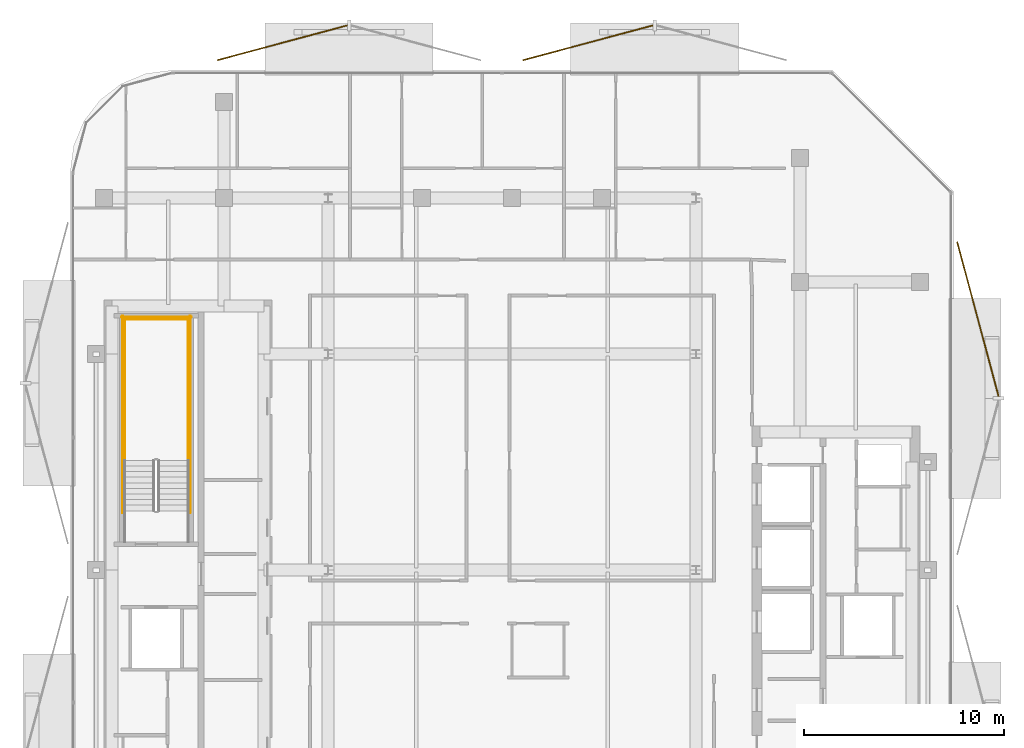
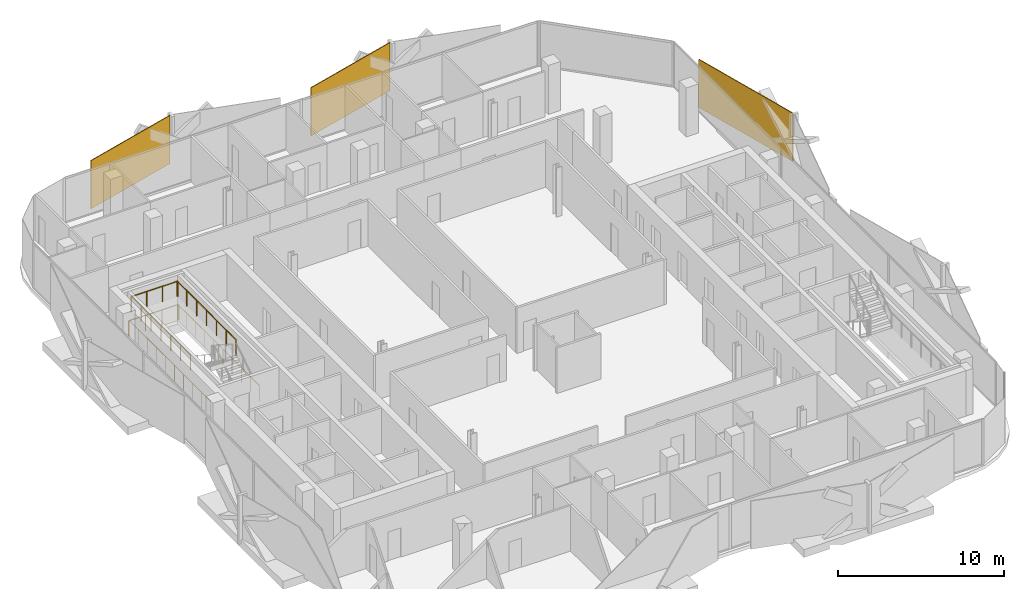
# One storey, part 16 of 16: 6 railings, 3 coverings.
"""IFC4 building model written with IfcOpenShell, lengths in metres."""

from ifc_helpers import new_model, si_unit, direction, frame, origin, origin_2d, place, context, subcontext, project, spatial, rectangle, circle, extrude, material, layer, layer_set, type_object, element, save


model = new_model("IFC4")

# Units and contexts
model_context = context("Model", 3, precision=1e-05, world=origin(), true_north=direction((0.0, 1.0)))
body_context = subcontext(model_context, "Body", "Model", "MODEL_VIEW")
ifc_project = project(units=[si_unit("LENGTHUNIT", "METRE"), si_unit("AREAUNIT", "SQUARE_METRE"), si_unit("VOLUMEUNIT", "CUBIC_METRE"), si_unit("PLANEANGLEUNIT", "RADIAN"), si_unit("MASSUNIT", "GRAM", prefix="KILO")], contexts=[model_context])

# Site, building, storey
site_placement = place(None, origin())
site = spatial("IfcSite", under=ifc_project, at=site_placement, CompositionType="ELEMENT")
building_placement = place(site_placement, origin())
building = spatial("IfcBuilding", under=site, at=building_placement, Name="Khairoan Windgate Tower", CompositionType="ELEMENT")
storey_placement = place(building_placement, frame((0.0, 0.0, 247.60009765625)))
storey = spatial("IfcBuildingStorey", under=building, at=storey_placement, Name="L58", CompositionType="ELEMENT", Elevation=247.60009765625)

# Coverings
ifc_material_1 = material(Name="Anodised Bronze Aluminium 6063-T6", Category="aluminium")
ifc_layer = layer(ifc_material_1, 0.054931640625, Name="Anodised Bronze Aluminium 6063-T6")
ifc_layer_set = layer_set([ifc_layer], Name="Anodised Bronze Aluminium 6063-T6")
covering_type = type_object("IfcCoveringType", Name="Perforated Bronze-Ceramic Folded Solar Screen Cladding BSC-1", PredefinedType="CLADDING", material=ifc_layer_set)
for number, where, z_axis, x_axis, name in (
    (1, (-11.486083984375, 26.36962890625, -0.10009765625), (0.0, 0.0, 1.0), (0.965925826289, 0.258819045103, 0.0), "L58 Folded Bronze Solar Screen Facet 397L"),
    (2, (3.80029296875, 26.36962890625, -0.10009765625), (0.0, 0.0, 1.0), (0.965925826289, 0.258819045103, 0.0), "L58 Folded Bronze Solar Screen Facet 398L"),
):
    element("IfcCovering", number, at=place(storey_placement, frame(where, z_axis=z_axis, x_axis=x_axis)), inside=storey, type_object=covering_type, Name=name, PredefinedType="CLADDING", context=body_context, shape_type="SweptSolid", body=[
        extrude(rectangle(XDim=6.72607421875, YDim=0.054931640625, at=origin_2d()), origin(), (0.0, 0.0, 1.0), 3.5400390625),
    ])
covering_placement = place(storey_placement, frame((23.304443359375, 12.54345703125, -0.10009765625), z_axis=(0.0, 0.0, 1.0), x_axis=(0.258819045103, -0.965925826289, 0.0)))
element("IfcCovering", 3, at=covering_placement, inside=storey, type_object=covering_type, Name="L58 Folded Bronze Solar Screen Facet 399L", PredefinedType="CLADDING", context=body_context, shape_type="SweptSolid", body=[
    extrude(rectangle(XDim=8.001953125, YDim=0.054931640625, at=origin_2d()), origin(), (0.0, 0.0, 1.0), 3.5400390625),
])

# Railings
ifc_material_2 = material(Name="Steel S355", Category="steel")
railing_type = type_object("IfcRailingType", Name="Stairwell Safety Guardrail SGR-1150", PredefinedType="GUARDRAIL", material=ifc_material_2)
for number, where, name in (
    (4, (-16.199951171875, 5.47998046875, 1.7998046875), "L58 ST2 stair guard 3"),
    (5, (-19.3701171875, 5.47998046875, 1.7998046875), "L58 ST2 stair guard 4"),
):
    element("IfcRailing", number, at=place(storey_placement, frame(where)), inside=storey, type_object=railing_type, Name=name, PredefinedType="GUARDRAIL", context=body_context, shape_type="SweptSolid", body=[
        extrude(circle(Radius=0.02392578125, at=origin_2d()), frame((0.0, 0.0, 1.1259765625), z_axis=(0.0, 1.0, 0.0), x_axis=(-1.0, 0.0, 0.0)), (0.0, 0.0, 1.0), 7.1201171875),
        extrude(circle(Radius=0.02099609375, at=origin_2d()), origin(), (0.0, 0.0, 1.0), 1.101806640625),
        extrude(circle(Radius=0.02099609375, at=origin_2d()), frame((0.0, 1.186767578125, 0.0)), (0.0, 0.0, 1.0), 1.101806640625),
        extrude(circle(Radius=0.02099609375, at=origin_2d()), frame((0.0, 2.373291015625, 0.0)), (0.0, 0.0, 1.0), 1.101806640625),
        extrude(circle(Radius=0.02099609375, at=origin_2d()), frame((0.0, 3.56005859375, 0.0)), (0.0, 0.0, 1.0), 1.101806640625),
        extrude(circle(Radius=0.02099609375, at=origin_2d()), frame((0.0, 4.746826171875, 0.0)), (0.0, 0.0, 1.0), 1.101806640625),
        extrude(circle(Radius=0.02099609375, at=origin_2d()), frame((0.0, 5.933349609375, 0.0)), (0.0, 0.0, 1.0), 1.101806640625),
        extrude(circle(Radius=0.02099609375, at=origin_2d()), frame((0.0, 7.1201171875, 0.0)), (0.0, 0.0, 1.0), 1.101806640625),
    ])
railing_1_placement = place(storey_placement, frame((-16.14990234375, 12.550048828125, 1.7998046875)))
element("IfcRailing", 6, at=railing_1_placement, inside=storey, type_object=railing_type, Name="L58 ST2 stair guard 5", PredefinedType="GUARDRAIL", context=body_context, shape_type="SweptSolid", body=[
    extrude(circle(Radius=0.02392578125, at=origin_2d()), frame((0.0, 0.0, 1.1259765625), z_axis=(-1.0, 0.0, 0.0), x_axis=(0.0, -1.0, 0.0)), (0.0, 0.0, 1.0), 3.27001953125),
    extrude(circle(Radius=0.02099609375, at=origin_2d()), origin(), (0.0, 0.0, 1.0), 1.101806640625),
    extrude(circle(Radius=0.02099609375, at=origin_2d()), frame((-1.090087890625, 0.0, 0.0)), (0.0, 0.0, 1.0), 1.101806640625),
    extrude(circle(Radius=0.02099609375, at=origin_2d()), frame((-2.179931640625, 0.0, 0.0)), (0.0, 0.0, 1.0), 1.101806640625),
    extrude(circle(Radius=0.02099609375, at=origin_2d()), frame((-3.27001953125, 0.0, 0.0)), (0.0, 0.0, 1.0), 1.101806640625),
])
for number, where, name in (
    (7, (-16.10009765625, 2.860107421875, 0.0), "L58 ST2 stair guard 10"),
    (8, (-19.469970703125, 2.860107421875, 0.0), "L58 ST2 stair guard 11"),
):
    element("IfcRailing", number, at=place(storey_placement, frame(where)), inside=storey, type_object=railing_type, Name=name, PredefinedType="GUARDRAIL", context=body_context, shape_type="SweptSolid", body=[
        extrude(circle(Radius=0.02392578125, at=origin_2d()), frame((0.0, 0.0, 1.1259765625), z_axis=(0.0, 1.0, 0.0), x_axis=(-1.0, 0.0, 0.0)), (0.0, 0.0, 1.0), 9.83984375),
        extrude(circle(Radius=0.02099609375, at=origin_2d()), origin(), (0.0, 0.0, 1.0), 1.101806640625),
        extrude(circle(Radius=0.02099609375, at=origin_2d()), frame((0.0, 1.09326171875, 0.0)), (0.0, 0.0, 1.0), 1.101806640625),
        extrude(circle(Radius=0.02099609375, at=origin_2d()), frame((0.0, 2.1865234375, 0.0)), (0.0, 0.0, 1.0), 1.101806640625),
        extrude(circle(Radius=0.02099609375, at=origin_2d()), frame((0.0, 3.280029296875, 0.0)), (0.0, 0.0, 1.0), 1.101806640625),
        extrude(circle(Radius=0.02099609375, at=origin_2d()), frame((0.0, 4.373291015625, 0.0)), (0.0, 0.0, 1.0), 1.101806640625),
        extrude(circle(Radius=0.02099609375, at=origin_2d()), frame((0.0, 5.466552734375, 0.0)), (0.0, 0.0, 1.0), 1.101806640625),
        extrude(circle(Radius=0.02099609375, at=origin_2d()), frame((0.0, 6.559814453125, 0.0)), (0.0, 0.0, 1.0), 1.101806640625),
        extrude(circle(Radius=0.02099609375, at=origin_2d()), frame((0.0, 7.6533203125, 0.0)), (0.0, 0.0, 1.0), 1.101806640625),
        extrude(circle(Radius=0.02099609375, at=origin_2d()), frame((0.0, 8.74658203125, 0.0)), (0.0, 0.0, 1.0), 1.101806640625),
        extrude(circle(Radius=0.02099609375, at=origin_2d()), frame((0.0, 9.83984375, 0.0)), (0.0, 0.0, 1.0), 1.101806640625),
    ])
railing_2_placement = place(storey_placement, frame((-16.050048828125, 12.64990234375, 0.0)))
element("IfcRailing", 9, at=railing_2_placement, inside=storey, type_object=railing_type, Name="L58 ST2 stair guard 12", PredefinedType="GUARDRAIL", context=body_context, shape_type="SweptSolid", body=[
    extrude(circle(Radius=0.02392578125, at=origin_2d()), frame((0.0, 0.0, 1.1259765625), z_axis=(-1.0, 0.0, 0.0), x_axis=(0.0, -1.0, 0.0)), (0.0, 0.0, 1.0), 3.469970703125),
    extrude(circle(Radius=0.02099609375, at=origin_2d()), origin(), (0.0, 0.0, 1.0), 1.101806640625),
    extrude(circle(Radius=0.02099609375, at=origin_2d()), frame((-1.15673828125, 0.0, 0.0)), (0.0, 0.0, 1.0), 1.101806640625),
    extrude(circle(Radius=0.02099609375, at=origin_2d()), frame((-2.313232421875, 0.0, 0.0)), (0.0, 0.0, 1.0), 1.101806640625),
    extrude(circle(Radius=0.02099609375, at=origin_2d()), frame((-3.469970703125, 0.0, 0.0)), (0.0, 0.0, 1.0), 1.101806640625),
])

save(model, "model.ifc")
